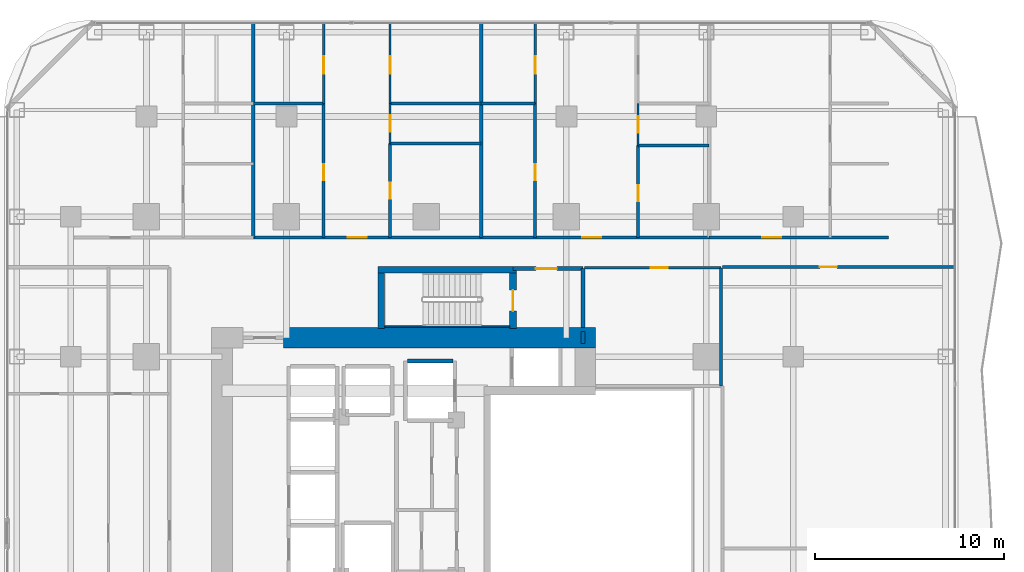
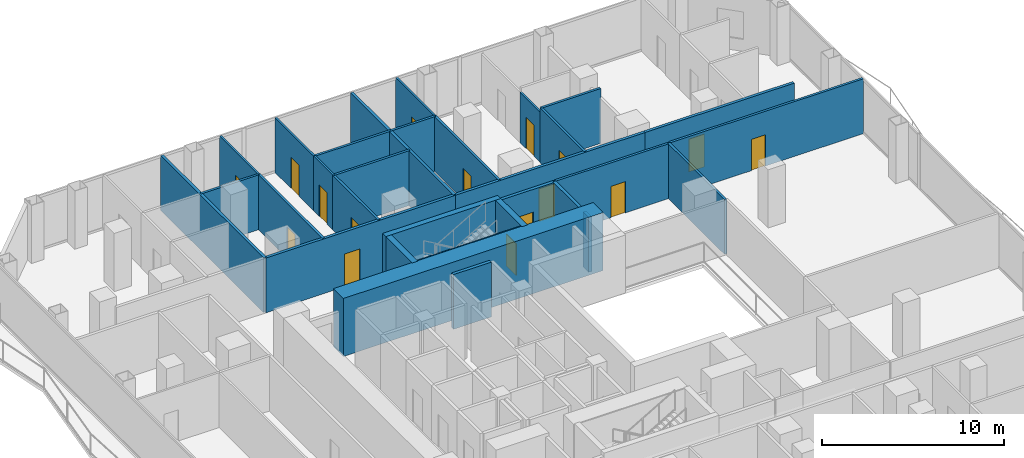
# One storey, part 23 of 27: 31 walls, 16 doors, 16 openings.
"""IFC4 building model written with IfcOpenShell, lengths in metres."""

from ifc_helpers import new_model, si_unit, direction, frame, frame_2d, origin, place, context, subcontext, project, spatial, rectangle, extrude, material, layer, layer_set, type_object, element, fill, save


model = new_model("IFC4")

# Units and contexts
model_context = context("Model", 3, precision=1e-05, world=origin(), true_north=direction((0.0, 1.0)))
body_context = subcontext(model_context, "Body", "Model", "MODEL_VIEW")
ifc_project = project(units=[si_unit("LENGTHUNIT", "METRE"), si_unit("AREAUNIT", "SQUARE_METRE"), si_unit("VOLUMEUNIT", "CUBIC_METRE"), si_unit("PLANEANGLEUNIT", "RADIAN"), si_unit("MASSUNIT", "GRAM", prefix="KILO")], contexts=[model_context])

# Site, building, storey
site_placement = place(None, origin())
site = spatial("IfcSite", under=ifc_project, at=site_placement, CompositionType="ELEMENT")
building_placement = place(site_placement, origin())
building = spatial("IfcBuilding", under=site, at=building_placement, Name="Khorvyn Point Tower", CompositionType="ELEMENT")
storey_placement = place(building_placement, frame((0.0, 0.0, 46.199951171875)))
storey = spatial("IfcBuildingStorey", under=building, at=storey_placement, Name="L12", CompositionType="ELEMENT", Elevation=46.199951171875)

# Wall, opening, door
ifc_material_1 = material(Name="Double acoustic gypsum on twin steel stud", Category="steel")
ifc_layer_1 = layer(ifc_material_1, 0.179931640625)
ifc_layer_set_1 = layer_set([ifc_layer_1], Name="Acoustic Double-Stud Apartment Demising Wall 180")
wall_type_1 = type_object("IfcWallType", Name="Acoustic Double-Stud Apartment Demising Wall 180", PredefinedType="PARTITIONING", material=ifc_layer_set_1)
wall_1_placement = place(storey_placement, frame((-9.15087890625, 13.699951171875, 0.0), z_axis=(0.0, 0.0, 1.0), x_axis=(1.0, 0.0, 0.0)))
wall_1 = element("IfcWall", 1, at=wall_1_placement, inside=storey, type_object=wall_type_1, Name="Wall", PredefinedType="PARTITIONING", context=body_context, shape_type="SweptSolid", body=[
    extrude(rectangle(XDim=12.05078125, YDim=0.179931640625, at=frame_2d((6.025390625, 0.0))), origin(), (0.0, 0.0, 1.0), 3.679931640625),
])
opening_1_placement = place(wall_1_placement, frame((4.989013671875, 0.0, 0.0)))
opening_1 = element("IfcOpeningElement", 2, at=opening_1_placement, cuts=wall_1, Name="Opening ID-AP60", PredefinedType="OPENING", context=body_context, shape_type="SweptSolid", body=[
    extrude(rectangle(XDim=1.0, YDim=2.199951171875, at=frame_2d((0.5, 1.10009765625))), frame((0.0, 0.099853515625, 0.0), z_axis=(0.0, -1.0, 0.0), x_axis=(1.0, 0.0, 0.0)), (0.0, 0.0, 1.0), 0.199951171875),
])
ifc_material_2 = material(Name="Engineered hardwood fire-rated leaf", Category="wood")
door_type_1 = type_object("IfcDoorType", Name="Acoustic Solid-Core Timber Apartment Entrance Door 1000x2200", OperationType="NOTDEFINED", PredefinedType="DOOR", material=ifc_material_2)
door_1_placement = place(opening_1_placement, origin())
door_1 = element("IfcDoor", 3, at=door_1_placement, inside=storey, type_object=door_type_1, Name="Door", OperationType="SINGLE_SWING_LEFT", OverallHeight=2.199951171875, OverallWidth=1.0, PredefinedType="DOOR", context=body_context, shape_type="SweptSolid", body=[
    extrude(rectangle(XDim=1.0, YDim=2.199951171875, at=frame_2d((0.5, 1.10009765625))), frame((0.0, 0.02490234375, 0.0), z_axis=(0.0, -1.0, 0.0), x_axis=(1.0, 0.0, 0.0)), (0.0, 0.0, 1.0), 0.050048828125),
])
fill(opening_1, door_1)

wall_2_placement = place(storey_placement, frame((2.89990234375, 13.699951171875, 0.0), z_axis=(0.0, 0.0, 1.0), x_axis=(1.0, 0.0, 0.0)))
wall_2 = element("IfcWall", 4, at=wall_2_placement, inside=storey, type_object=wall_type_1, Name="Wall", PredefinedType="PARTITIONING", context=body_context, shape_type="SweptSolid", body=[
    extrude(rectangle(XDim=12.051025390625, YDim=0.179931640625, at=frame_2d((6.025390625, 0.0))), origin(), (0.0, 0.0, 1.0), 3.679931640625),
])
opening_2_placement = place(wall_2_placement, frame((5.3466796875, 0.0, 0.0)))
opening_2 = element("IfcOpeningElement", 5, at=opening_2_placement, cuts=wall_2, Name="Opening ID-AP60", PredefinedType="OPENING", context=body_context, shape_type="SweptSolid", body=[
    extrude(rectangle(XDim=1.0, YDim=2.199951171875, at=frame_2d((0.5, 1.10009765625))), frame((0.0, 0.099853515625, 0.0), z_axis=(0.0, -1.0, 0.0), x_axis=(1.0, 0.0, 0.0)), (0.0, 0.0, 1.0), 0.199951171875),
])
door_2_placement = place(opening_2_placement, origin())
door_2 = element("IfcDoor", 6, at=door_2_placement, inside=storey, type_object=door_type_1, Name="Door", OperationType="SINGLE_SWING_LEFT", OverallHeight=2.199951171875, OverallWidth=1.0, PredefinedType="DOOR", context=body_context, shape_type="SweptSolid", body=[
    extrude(rectangle(XDim=1.0, YDim=2.199951171875, at=frame_2d((0.5, 1.10009765625))), frame((0.0, 0.02490234375, 0.0), z_axis=(0.0, -1.0, 0.0), x_axis=(1.0, 0.0, 0.0)), (0.0, 0.0, 1.0), 0.050048828125),
])
fill(opening_2, door_2)

wall_3_placement = place(storey_placement, frame((14.950927734375, 13.699951171875, 0.0), z_axis=(0.0, 0.0, 1.0), x_axis=(1.0, 0.0, 0.0)))
wall_3 = element("IfcWall", 7, at=wall_3_placement, inside=storey, type_object=wall_type_1, Name="Wall", PredefinedType="PARTITIONING", context=body_context, shape_type="SweptSolid", body=[
    extrude(rectangle(XDim=9.468994140625, YDim=0.179931640625, at=frame_2d((4.734375, 0.0))), origin(), (0.0, 0.0, 1.0), 3.679931640625),
])
opening_3_placement = place(wall_3_placement, frame((2.8173828125, 0.0, 0.0)))
opening_3 = element("IfcOpeningElement", 8, at=opening_3_placement, cuts=wall_3, Name="Opening ID-AP60", PredefinedType="OPENING", context=body_context, shape_type="SweptSolid", body=[
    extrude(rectangle(XDim=1.0, YDim=2.199951171875, at=frame_2d((0.5, 1.10009765625))), frame((0.0, 0.099853515625, 0.0), z_axis=(0.0, -1.0, 0.0), x_axis=(1.0, 0.0, 0.0)), (0.0, 0.0, 1.0), 0.199951171875),
])
door_3_placement = place(opening_3_placement, origin())
door_3 = element("IfcDoor", 9, at=door_3_placement, inside=storey, type_object=door_type_1, Name="Door", OperationType="SINGLE_SWING_LEFT", OverallHeight=2.199951171875, OverallWidth=1.0, PredefinedType="DOOR", context=body_context, shape_type="SweptSolid", body=[
    extrude(rectangle(XDim=1.0, YDim=2.199951171875, at=frame_2d((0.5, 1.10009765625))), frame((0.0, 0.02490234375, 0.0), z_axis=(0.0, -1.0, 0.0), x_axis=(1.0, 0.0, 0.0)), (0.0, 0.0, 1.0), 0.050048828125),
])
fill(opening_3, door_3)

# Walls
for number, where, z_axis, x_axis, name in (
    (10, (-9.15087890625, 13.699951171875, 0.0), (0.0, 0.0, 1.0), (0.0, 1.0, 0.0), "Wall"),
    (11, (2.89990234375, 13.699951171875, 0.0), (0.0, 0.0, 1.0), (0.0, 1.0, 0.0), "Wall"),
):
    element("IfcWall", number, at=place(storey_placement, frame(where, z_axis=z_axis, x_axis=x_axis)), inside=storey, type_object=wall_type_1, Name=name, PredefinedType="PARTITIONING", context=body_context, shape_type="SweptSolid", body=[
        extrude(rectangle(XDim=11.330078125, YDim=0.179931640625, at=frame_2d((5.6650390625, 0.0))), origin(), (0.0, 0.0, 1.0), 3.679931640625),
    ])

# Wall, opening, door
ifc_material_3 = material(Name="Concrete C40/50", Category="concrete")
ifc_layer_2 = layer(ifc_material_3, 0.199951171875)
ifc_layer_set_2 = layer_set([ifc_layer_2], Name="Concrete C40/50 Fire-Lobby Compartment Wall 200")
wall_type_2 = type_object("IfcWallType", Name="Concrete C40/50 Fire-Lobby Compartment Wall 200", PredefinedType="SOLIDWALL", material=ifc_layer_set_2)
wall_4_placement = place(storey_placement, frame((4.580078125, 12.06005859375, 0.0), z_axis=(0.0, 0.0, 1.0), x_axis=(1.0, 0.0, 0.0)))
wall_4 = element("IfcWall", 12, at=wall_4_placement, inside=storey, type_object=wall_type_2, Name="Wall", PredefinedType="SOLIDWALL", context=body_context, shape_type="SweptSolid", body=[
    extrude(rectangle(XDim=3.699951171875, YDim=0.199951171875, at=frame_2d((1.85009765625, 0.0))), origin(), (0.0, 0.0, 1.0), 3.679931640625),
])
opening_4_placement = place(wall_4_placement, frame((1.21240234375, 0.0, 0.0)))
opening_4 = element("IfcOpeningElement", 13, at=opening_4_placement, cuts=wall_4, Name="Opening ID-FL90", PredefinedType="OPENING", context=body_context, shape_type="SweptSolid", body=[
    extrude(rectangle(XDim=1.10009765625, YDim=2.14990234375, at=frame_2d((0.550048828125, 1.074951171875))), frame((0.0, 0.10986328125, 0.0), z_axis=(0.0, -1.0, 0.0), x_axis=(1.0, 0.0, 0.0)), (0.0, 0.0, 1.0), 0.219970703125),
])
ifc_material_4 = material(Name="Galvanised powder-coated steel", Category="steel")
door_type_2 = type_object("IfcDoorType", Name="Fire-Rated Steel Lobby and Stair Door 1100x2150", OperationType="NOTDEFINED", PredefinedType="DOOR", material=ifc_material_4)
door_4_placement = place(opening_4_placement, origin())
door_4 = element("IfcDoor", 14, at=door_4_placement, inside=storey, type_object=door_type_2, Name="Door", OperationType="SINGLE_SWING_RIGHT", OverallHeight=2.14990234375, OverallWidth=1.10009765625, PredefinedType="DOOR", context=body_context, shape_type="SweptSolid", body=[
    extrude(rectangle(XDim=1.10009765625, YDim=2.14990234375, at=frame_2d((0.550048828125, 1.074951171875))), frame((0.0, 0.02490234375, 0.0), z_axis=(0.0, -1.0, 0.0), x_axis=(1.0, 0.0, 0.0)), (0.0, 0.0, 1.0), 0.050048828125),
])
fill(opening_4, door_4)

# Walls
wall_5_placement = place(storey_placement, frame((8.280029296875, 8.949951171875, 0.0), z_axis=(0.0, 0.0, 1.0), x_axis=(0.0, 1.0, 0.0)))
element("IfcWall", 15, at=wall_5_placement, inside=storey, type_object=wall_type_2, Name="Wall", PredefinedType="SOLIDWALL", context=body_context, shape_type="SweptSolid", body=[
    extrude(rectangle(XDim=3.110107421875, YDim=0.199951171875, at=frame_2d((1.55517578125, 0.0))), origin(), (0.0, 0.0, 1.0), 3.679931640625),
])
wall_6_placement = place(storey_placement, frame((8.280029296875, 8.10009765625, 0.0), z_axis=(0.0, 0.0, 1.0), x_axis=(0.0, 1.0, 0.0)))
element("IfcWall", 16, at=wall_6_placement, inside=storey, type_object=wall_type_2, Name="Wall", PredefinedType="SOLIDWALL", context=body_context, shape_type="SweptSolid", body=[
    extrude(rectangle(XDim=0.625, YDim=0.199951171875, at=frame_2d((0.3125, 0.0))), origin(), (0.0, 0.0, 1.0), 3.679931640625),
])
ifc_layer_3 = layer(ifc_material_3, 0.25)
ifc_layer_set_3 = layer_set([ifc_layer_3], Name="Concrete C40/50 Stair Inner Cheek Structural Wall 250")
wall_type_3 = type_object("IfcWallType", Name="Concrete C40/50 Stair Inner Cheek Structural Wall 250", PredefinedType="SHEAR", material=ifc_layer_set_3)
wall_7_placement = place(storey_placement, frame((-2.199951171875, 8.987548828125, 0.0), z_axis=(0.0, 0.0, 1.0), x_axis=(1.0, 0.0, 0.0)))
element("IfcWall", 17, at=wall_7_placement, inside=storey, type_object=wall_type_3, Name="Wall", PredefinedType="SHEAR", context=body_context, shape_type="SweptSolid", body=[
    extrude(rectangle(XDim=6.599853515625, YDim=0.074951171875, at=frame_2d((3.2998046875, 0.0))), origin(), (0.0, 0.0, 1.0), 3.900146484375),
])
ifc_layer_4 = layer(ifc_material_3, 0.35009765625)
ifc_layer_set_4 = layer_set([ifc_layer_4], Name="Concrete C40/50 Stair Shaft Structural Wall 350")
wall_type_4 = type_object("IfcWallType", Name="Concrete C40/50 Stair Shaft Structural Wall 350", PredefinedType="SHEAR", material=ifc_layer_set_4)
wall_8_placement = place(storey_placement, frame((-2.554931640625, 12.0, 0.0), z_axis=(0.0, 0.0, 1.0), x_axis=(1.0, 0.0, 0.0)))
element("IfcWall", 18, at=wall_8_placement, inside=storey, type_object=wall_type_4, Name="L12 ST-02 North Shaft Wall", PredefinedType="SHEAR", context=body_context, shape_type="SweptSolid", body=[
    extrude(rectangle(XDim=7.309814453125, YDim=0.35009765625, at=frame_2d((3.65478515625, 0.0))), origin(), (0.0, 0.0, 1.0), 3.900146484375),
])
wall_9_placement = place(storey_placement, frame((-2.3798828125, 8.89990234375, 0.0), z_axis=(0.0, 0.0, 1.0), x_axis=(0.0, 1.0, 0.0)))
element("IfcWall", 19, at=wall_9_placement, inside=storey, type_object=wall_type_4, Name="L12 ST-02 West Shaft Wall", PredefinedType="SHEAR", context=body_context, shape_type="SweptSolid", body=[
    extrude(rectangle(XDim=2.925048828125, YDim=0.35009765625, at=frame_2d((1.46240234375, 0.0))), origin(), (0.0, 0.0, 1.0), 3.900146484375),
])

# Wall, opening, door
wall_10_placement = place(storey_placement, frame((4.580078125, 11.824951171875, 0.0), z_axis=(0.0, 0.0, 1.0), x_axis=(0.0, -1.0, 0.0)))
wall_10 = element("IfcWall", 20, at=wall_10_placement, inside=storey, type_object=wall_type_4, Name="L12 ST-02 East Landing Door Wall", PredefinedType="SHEAR", context=body_context, shape_type="SweptSolid", body=[
    extrude(rectangle(XDim=2.925048828125, YDim=0.35009765625, at=frame_2d((1.46240234375, 0.0))), origin(), (0.0, 0.0, 1.0), 3.900146484375),
])
opening_5_placement = place(wall_10_placement, frame((0.91259765625, 0.0, 0.0)))
opening_5 = element("IfcOpeningElement", 21, at=opening_5_placement, cuts=wall_10, Name="Opening ID-FL90", PredefinedType="OPENING", context=body_context, shape_type="SweptSolid", body=[
    extrude(rectangle(XDim=1.10009765625, YDim=2.14990234375, at=frame_2d((0.550048828125, 1.074951171875))), frame((0.0, 0.18505859375, 0.0), z_axis=(0.0, -1.0, 0.0), x_axis=(1.0, 0.0, 0.0)), (0.0, 0.0, 1.0), 0.3701171875),
])
door_5_placement = place(opening_5_placement, origin())
door_5 = element("IfcDoor", 22, at=door_5_placement, inside=storey, type_object=door_type_2, Name="L12 ST-02 Smokeproof Landing Door", OperationType="SINGLE_SWING_LEFT", OverallHeight=2.14990234375, OverallWidth=1.10009765625, PredefinedType="DOOR", context=body_context, shape_type="SweptSolid", body=[
    extrude(rectangle(XDim=1.10009765625, YDim=2.14990234375, at=frame_2d((0.550048828125, 1.074951171875))), frame((0.0, 0.02490234375, 0.0), z_axis=(0.0, -1.0, 0.0), x_axis=(1.0, 0.0, 0.0)), (0.0, 0.0, 1.0), 0.050048828125),
])
fill(opening_5, door_5)

# Walls
ifc_layer_5 = layer(ifc_material_3, 0.199951171875)
ifc_layer_set_5 = layer_set([ifc_layer_5], Name="Concrete C40/50 Structural Hoistway and Stair Shaft Wall 200")
wall_type_5 = type_object("IfcWallType", Name="Concrete C40/50 Structural Hoistway and Stair Shaft Wall 200", PredefinedType="SHEAR", material=ifc_layer_set_5)
wall_11_placement = place(storey_placement, frame((-1.0, 7.175048828125, 0.0), z_axis=(0.0, 0.0, 1.0), x_axis=(1.0, 0.0, 0.0)))
element("IfcWall", 23, at=wall_11_placement, inside=storey, type_object=wall_type_5, Name="Wall", PredefinedType="SHEAR", context=body_context, shape_type="SweptSolid", body=[
    extrude(rectangle(XDim=2.39990234375, YDim=0.199951171875, at=frame_2d((1.199951171875, 0.0))), origin(), (0.0, 0.0, 1.0), 3.679931640625),
])
ifc_material_5 = material(Name="Concrete C50/60", Category="concrete")
ifc_layer_6 = layer(ifc_material_5, 1.10009765625)
ifc_layer_set_6 = layer_set([ifc_layer_6], Name="Concrete C50/60 Core Shear Wall 1100")
wall_type_6 = type_object("IfcWallType", Name="Concrete C50/60 Core Shear Wall 1100", PredefinedType="SHEAR", material=ifc_layer_set_6)
wall_12_placement = place(storey_placement, frame((-7.550048828125, 8.39990234375, 0.0), z_axis=(0.0, 0.0, 1.0), x_axis=(1.0, 0.0, 0.0)))
element("IfcWall", 24, at=wall_12_placement, inside=storey, type_object=wall_type_6, Name="Wall", PredefinedType="SHEAR", context=body_context, shape_type="SweptSolid", body=[
    extrude(rectangle(XDim=16.5, YDim=1.10009765625, at=frame_2d((8.25, 0.0))), origin(), (0.0, 0.0, 1.0), 3.900146484375),
])

# Wall, opening, door
ifc_material_6 = material(Name="Gypsum plasterboard on steel stud", Category="steel")
ifc_layer_7 = layer(ifc_material_6, 0.1201171875)
ifc_layer_set_7 = layer_set([ifc_layer_7], Name="Gypsum Acoustic Stud Room Partition Wall 120")
wall_type_7 = type_object("IfcWallType", Name="Gypsum Acoustic Stud Room Partition Wall 120", PredefinedType="PARTITIONING", material=ifc_layer_set_7)
wall_13_placement = place(storey_placement, frame((-5.43408203125, 20.7900390625, 0.0), z_axis=(0.0, 0.0, 1.0), x_axis=(0.0, 1.0, 0.0)))
wall_13 = element("IfcWall", 25, at=wall_13_placement, inside=storey, type_object=wall_type_7, Name="Wall", PredefinedType="PARTITIONING", context=body_context, shape_type="SweptSolid", body=[
    extrude(rectangle(XDim=4.239990234375, YDim=0.1201171875, at=frame_2d((2.1201171875, 0.0))), origin(), (0.0, 0.0, 1.0), 3.679931640625),
])
opening_6_placement = place(wall_13_placement, frame((1.581298828125, 0.0, 0.0)))
opening_6 = element("IfcOpeningElement", 26, at=opening_6_placement, cuts=wall_13, Name="Opening ID-RM90", PredefinedType="OPENING", context=body_context, shape_type="SweptSolid", body=[
    extrude(rectangle(XDim=0.89990234375, YDim=2.10009765625, at=frame_2d((0.449951171875, 1.050048828125))), frame((0.0, 0.070068359375, 0.0), z_axis=(0.0, -1.0, 0.0), x_axis=(1.0, 0.0, 0.0)), (0.0, 0.0, 1.0), 0.14013671875),
])
ifc_material_7 = material(Name="Engineered oak veneer timber", Category="wood")
door_type_3 = type_object("IfcDoorType", Name="Flush Engineered Timber Room Door 900x2100", OperationType="NOTDEFINED", PredefinedType="DOOR", material=ifc_material_7)
door_6_placement = place(opening_6_placement, origin())
door_6 = element("IfcDoor", 27, at=door_6_placement, inside=storey, type_object=door_type_3, Name="Door", OperationType="SINGLE_SWING_LEFT", OverallHeight=2.10009765625, OverallWidth=0.89990234375, PredefinedType="DOOR", context=body_context, shape_type="SweptSolid", body=[
    extrude(rectangle(XDim=0.89990234375, YDim=2.10009765625, at=frame_2d((0.449951171875, 1.050048828125))), frame((0.0, 0.02490234375, 0.0), z_axis=(0.0, -1.0, 0.0), x_axis=(1.0, 0.0, 0.0)), (0.0, 0.0, 1.0), 0.050048828125),
])
fill(opening_6, door_6)

wall_14_placement = place(storey_placement, frame((-1.919921875, 18.6630859375, 0.0), z_axis=(0.0, 0.0, 1.0), x_axis=(0.0, 1.0, 0.0)))
wall_14 = element("IfcWall", 28, at=wall_14_placement, inside=storey, type_object=wall_type_7, Name="Wall", PredefinedType="PARTITIONING", context=body_context, shape_type="SweptSolid", body=[
    extrude(rectangle(XDim=2.126953125, YDim=0.1201171875, at=frame_2d((1.0634765625, 0.0))), origin(), (0.0, 0.0, 1.0), 3.679931640625),
])
opening_7_placement = place(wall_14_placement, frame((0.638427734375, 0.0, 0.0)))
opening_7 = element("IfcOpeningElement", 29, at=opening_7_placement, cuts=wall_14, Name="Opening ID-WC85", PredefinedType="OPENING", context=body_context, shape_type="SweptSolid", body=[
    extrude(rectangle(XDim=0.85009765625, YDim=2.10009765625, at=frame_2d((0.425048828125, 1.050048828125))), frame((0.0, 0.070068359375, 0.0), z_axis=(0.0, -1.0, 0.0), x_axis=(1.0, 0.0, 0.0)), (0.0, 0.0, 1.0), 0.14013671875),
])
ifc_material_8 = material(Name="High-pressure laminate on moisture-resistant core", Category="wood")
door_type_4 = type_object("IfcDoorType", Name="Moisture-Resistant Accessible Washroom Door 850x2100", OperationType="NOTDEFINED", PredefinedType="DOOR", material=ifc_material_8)
door_7_placement = place(opening_7_placement, origin())
door_7 = element("IfcDoor", 30, at=door_7_placement, inside=storey, type_object=door_type_4, Name="Door", OperationType="SINGLE_SWING_LEFT", OverallHeight=2.10009765625, OverallWidth=0.85009765625, PredefinedType="DOOR", context=body_context, shape_type="SweptSolid", body=[
    extrude(rectangle(XDim=0.85009765625, YDim=2.10009765625, at=frame_2d((0.425048828125, 1.050048828125))), frame((0.0, 0.02490234375, 0.0), z_axis=(0.0, -1.0, 0.0), x_axis=(1.0, 0.0, 0.0)), (0.0, 0.0, 1.0), 0.050048828125),
])
fill(opening_7, door_7)

wall_15_placement = place(storey_placement, frame((-1.919921875, 20.7900390625, 0.0), z_axis=(0.0, 0.0, 1.0), x_axis=(0.0, 1.0, 0.0)))
wall_15 = element("IfcWall", 31, at=wall_15_placement, inside=storey, type_object=wall_type_7, Name="Wall", PredefinedType="PARTITIONING", context=body_context, shape_type="SweptSolid", body=[
    extrude(rectangle(XDim=4.239990234375, YDim=0.1201171875, at=frame_2d((2.1201171875, 0.0))), origin(), (0.0, 0.0, 1.0), 3.679931640625),
])
opening_8_placement = place(wall_15_placement, frame((1.581298828125, 0.0, 0.0)))
opening_8 = element("IfcOpeningElement", 32, at=opening_8_placement, cuts=wall_15, Name="Opening ID-RM90", PredefinedType="OPENING", context=body_context, shape_type="SweptSolid", body=[
    extrude(rectangle(XDim=0.89990234375, YDim=2.10009765625, at=frame_2d((0.449951171875, 1.050048828125))), frame((0.0, 0.070068359375, 0.0), z_axis=(0.0, -1.0, 0.0), x_axis=(1.0, 0.0, 0.0)), (0.0, 0.0, 1.0), 0.14013671875),
])
door_8_placement = place(opening_8_placement, origin())
door_8 = element("IfcDoor", 33, at=door_8_placement, inside=storey, type_object=door_type_3, Name="Door", OperationType="SINGLE_SWING_RIGHT", OverallHeight=2.10009765625, OverallWidth=0.89990234375, PredefinedType="DOOR", context=body_context, shape_type="SweptSolid", body=[
    extrude(rectangle(XDim=0.89990234375, YDim=2.10009765625, at=frame_2d((0.449951171875, 1.050048828125))), frame((0.0, 0.02490234375, 0.0), z_axis=(0.0, -1.0, 0.0), x_axis=(1.0, 0.0, 0.0)), (0.0, 0.0, 1.0), 0.050048828125),
])
fill(opening_8, door_8)

wall_16_placement = place(storey_placement, frame((5.75, 20.7900390625, 0.0), z_axis=(0.0, 0.0, 1.0), x_axis=(0.0, 1.0, 0.0)))
wall_16 = element("IfcWall", 34, at=wall_16_placement, inside=storey, type_object=wall_type_7, Name="Wall", PredefinedType="PARTITIONING", context=body_context, shape_type="SweptSolid", body=[
    extrude(rectangle(XDim=4.239990234375, YDim=0.1201171875, at=frame_2d((2.1201171875, 0.0))), origin(), (0.0, 0.0, 1.0), 3.679931640625),
])
opening_9_placement = place(wall_16_placement, frame((1.581298828125, 0.0, 0.0)))
opening_9 = element("IfcOpeningElement", 35, at=opening_9_placement, cuts=wall_16, Name="Opening ID-RM90", PredefinedType="OPENING", context=body_context, shape_type="SweptSolid", body=[
    extrude(rectangle(XDim=0.89990234375, YDim=2.10009765625, at=frame_2d((0.449951171875, 1.050048828125))), frame((0.0, 0.070068359375, 0.0), z_axis=(0.0, -1.0, 0.0), x_axis=(1.0, 0.0, 0.0)), (0.0, 0.0, 1.0), 0.14013671875),
])
door_9_placement = place(opening_9_placement, origin())
door_9 = element("IfcDoor", 36, at=door_9_placement, inside=storey, type_object=door_type_3, Name="Door", OperationType="SINGLE_SWING_LEFT", OverallHeight=2.10009765625, OverallWidth=0.89990234375, PredefinedType="DOOR", context=body_context, shape_type="SweptSolid", body=[
    extrude(rectangle(XDim=0.89990234375, YDim=2.10009765625, at=frame_2d((0.449951171875, 1.050048828125))), frame((0.0, 0.02490234375, 0.0), z_axis=(0.0, -1.0, 0.0), x_axis=(1.0, 0.0, 0.0)), (0.0, 0.0, 1.0), 0.050048828125),
])
fill(opening_9, door_9)

wall_17_placement = place(storey_placement, frame((11.19091796875, 18.556884765625, 0.0), z_axis=(0.0, 0.0, 1.0), x_axis=(0.0, 1.0, 0.0)))
wall_17 = element("IfcWall", 37, at=wall_17_placement, inside=storey, type_object=wall_type_7, Name="Wall", PredefinedType="PARTITIONING", context=body_context, shape_type="SweptSolid", body=[
    extrude(rectangle(XDim=2.233154296875, YDim=0.1201171875, at=frame_2d((1.11669921875, 0.0))), origin(), (0.0, 0.0, 1.0), 3.3701171875),
])
opening_10_placement = place(wall_17_placement, frame((0.69140625, 0.0, 0.0)))
opening_10 = element("IfcOpeningElement", 38, at=opening_10_placement, cuts=wall_17, Name="Opening ID-WC85", PredefinedType="OPENING", context=body_context, shape_type="SweptSolid", body=[
    extrude(rectangle(XDim=0.85009765625, YDim=2.10009765625, at=frame_2d((0.425048828125, 1.050048828125))), frame((0.0, 0.070068359375, 0.0), z_axis=(0.0, -1.0, 0.0), x_axis=(1.0, 0.0, 0.0)), (0.0, 0.0, 1.0), 0.14013671875),
])
door_10_placement = place(opening_10_placement, origin())
door_10 = element("IfcDoor", 39, at=door_10_placement, inside=storey, type_object=door_type_4, Name="Door", OperationType="SINGLE_SWING_LEFT", OverallHeight=2.10009765625, OverallWidth=0.85009765625, PredefinedType="DOOR", context=body_context, shape_type="SweptSolid", body=[
    extrude(rectangle(XDim=0.85009765625, YDim=2.10009765625, at=frame_2d((0.425048828125, 1.050048828125))), frame((0.0, 0.02490234375, 0.0), z_axis=(0.0, -1.0, 0.0), x_axis=(1.0, 0.0, 0.0)), (0.0, 0.0, 1.0), 0.050048828125),
])
fill(opening_10, door_10)

ifc_material_9 = material(Name="Moisture-resistant gypsum and cement board", Category="gypsum")
ifc_layer_8 = layer(ifc_material_9, 0.14990234375)
ifc_layer_set_8 = layer_set([ifc_layer_8], Name="Moisture-Resistant Wet-Room Partition Wall 150")
wall_type_8 = type_object("IfcWallType", Name="Moisture-Resistant Wet-Room Partition Wall 150", PredefinedType="PARTITIONING", material=ifc_layer_set_8)
wall_18_placement = place(storey_placement, frame((8.360107421875, 12.10009765625, 0.0), z_axis=(0.0, 0.0, 1.0), x_axis=(1.0, 0.0, 0.0)))
wall_18 = element("IfcWall", 40, at=wall_18_placement, inside=storey, type_object=wall_type_8, Name="Wall", PredefinedType="PARTITIONING", context=body_context, shape_type="SweptSolid", body=[
    extrude(rectangle(XDim=7.219970703125, YDim=0.14990234375, at=frame_2d((3.60986328125, 0.0))), origin(), (0.0, 0.0, 1.0), 3.679931640625),
])
opening_11_placement = place(wall_18_placement, frame((3.512939453125, 0.0, 0.0)))
opening_11 = element("IfcOpeningElement", 41, at=opening_11_placement, cuts=wall_18, Name="Opening ID-RM90", PredefinedType="OPENING", context=body_context, shape_type="SweptSolid", body=[
    extrude(rectangle(XDim=0.89990234375, YDim=2.10009765625, at=frame_2d((0.449951171875, 1.050048828125))), frame((0.0, 0.0849609375, 0.0), z_axis=(0.0, -1.0, 0.0), x_axis=(1.0, 0.0, 0.0)), (0.0, 0.0, 1.0), 0.169921875),
])
door_11_placement = place(opening_11_placement, origin())
door_11 = element("IfcDoor", 42, at=door_11_placement, inside=storey, type_object=door_type_3, Name="Door", OperationType="SINGLE_SWING_RIGHT", OverallHeight=2.10009765625, OverallWidth=0.89990234375, PredefinedType="DOOR", context=body_context, shape_type="SweptSolid", body=[
    extrude(rectangle(XDim=0.89990234375, YDim=2.10009765625, at=frame_2d((0.449951171875, 1.050048828125))), frame((0.0, 0.02490234375, 0.0), z_axis=(0.0, -1.0, 0.0), x_axis=(1.0, 0.0, 0.0)), (0.0, 0.0, 1.0), 0.050048828125),
])
fill(opening_11, door_11)

wall_19_placement = place(storey_placement, frame((-5.43408203125, 13.699951171875, 0.0), z_axis=(0.0, 0.0, 1.0), x_axis=(0.0, 1.0, 0.0)))
wall_19 = element("IfcWall", 43, at=wall_19_placement, inside=storey, type_object=wall_type_8, Name="Wall", PredefinedType="PARTITIONING", context=body_context, shape_type="SweptSolid", body=[
    extrude(rectangle(XDim=7.090087890625, YDim=0.14990234375, at=frame_2d((3.544921875, 0.0))), origin(), (0.0, 0.0, 1.0), 3.679931640625),
])
opening_12_placement = place(wall_19_placement, frame((3.0302734375, 0.0, 0.0)))
opening_12 = element("IfcOpeningElement", 44, at=opening_12_placement, cuts=wall_19, Name="Opening ID-WC85", PredefinedType="OPENING", context=body_context, shape_type="SweptSolid", body=[
    extrude(rectangle(XDim=0.85009765625, YDim=2.10009765625, at=frame_2d((0.425048828125, 1.050048828125))), frame((0.0, 0.0849609375, 0.0), z_axis=(0.0, -1.0, 0.0), x_axis=(1.0, 0.0, 0.0)), (0.0, 0.0, 1.0), 0.169921875),
])
door_12_placement = place(opening_12_placement, origin())
door_12 = element("IfcDoor", 45, at=door_12_placement, inside=storey, type_object=door_type_4, Name="Door", OperationType="SINGLE_SWING_RIGHT", OverallHeight=2.10009765625, OverallWidth=0.85009765625, PredefinedType="DOOR", context=body_context, shape_type="SweptSolid", body=[
    extrude(rectangle(XDim=0.85009765625, YDim=2.10009765625, at=frame_2d((0.425048828125, 1.050048828125))), frame((0.0, 0.02490234375, 0.0), z_axis=(0.0, -1.0, 0.0), x_axis=(1.0, 0.0, 0.0)), (0.0, 0.0, 1.0), 0.050048828125),
])
fill(opening_12, door_12)

wall_20_placement = place(storey_placement, frame((-1.919921875, 13.699951171875, 0.0), z_axis=(0.0, 0.0, 1.0), x_axis=(0.0, 1.0, 0.0)))
wall_20 = element("IfcWall", 46, at=wall_20_placement, inside=storey, type_object=wall_type_8, Name="Wall", PredefinedType="PARTITIONING", context=body_context, shape_type="SweptSolid", body=[
    extrude(rectangle(XDim=4.963134765625, YDim=0.14990234375, at=frame_2d((2.4814453125, 0.0))), origin(), (0.0, 0.0, 1.0), 3.679931640625),
])
opening_13_placement = place(wall_20_placement, frame((2.056396484375, 0.0, 0.0)))
opening_13 = element("IfcOpeningElement", 47, at=opening_13_placement, cuts=wall_20, Name="Opening ID-WC85", PredefinedType="OPENING", context=body_context, shape_type="SweptSolid", body=[
    extrude(rectangle(XDim=0.85009765625, YDim=2.10009765625, at=frame_2d((0.425048828125, 1.050048828125))), frame((0.0, 0.0849609375, 0.0), z_axis=(0.0, -1.0, 0.0), x_axis=(1.0, 0.0, 0.0)), (0.0, 0.0, 1.0), 0.169921875),
])
door_13_placement = place(opening_13_placement, origin())
door_13 = element("IfcDoor", 48, at=door_13_placement, inside=storey, type_object=door_type_4, Name="Door", OperationType="SINGLE_SWING_RIGHT", OverallHeight=2.10009765625, OverallWidth=0.85009765625, PredefinedType="DOOR", context=body_context, shape_type="SweptSolid", body=[
    extrude(rectangle(XDim=0.85009765625, YDim=2.10009765625, at=frame_2d((0.425048828125, 1.050048828125))), frame((0.0, 0.02490234375, 0.0), z_axis=(0.0, -1.0, 0.0), x_axis=(1.0, 0.0, 0.0)), (0.0, 0.0, 1.0), 0.050048828125),
])
fill(opening_13, door_13)

wall_21_placement = place(storey_placement, frame((5.75, 13.699951171875, 0.0), z_axis=(0.0, 0.0, 1.0), x_axis=(0.0, 1.0, 0.0)))
wall_21 = element("IfcWall", 49, at=wall_21_placement, inside=storey, type_object=wall_type_8, Name="Wall", PredefinedType="PARTITIONING", context=body_context, shape_type="SweptSolid", body=[
    extrude(rectangle(XDim=7.090087890625, YDim=0.14990234375, at=frame_2d((3.544921875, 0.0))), origin(), (0.0, 0.0, 1.0), 3.679931640625),
])
opening_14_placement = place(wall_21_placement, frame((3.0302734375, 0.0, 0.0)))
opening_14 = element("IfcOpeningElement", 50, at=opening_14_placement, cuts=wall_21, Name="Opening ID-WC85", PredefinedType="OPENING", context=body_context, shape_type="SweptSolid", body=[
    extrude(rectangle(XDim=0.85009765625, YDim=2.10009765625, at=frame_2d((0.425048828125, 1.050048828125))), frame((0.0, 0.0849609375, 0.0), z_axis=(0.0, -1.0, 0.0), x_axis=(1.0, 0.0, 0.0)), (0.0, 0.0, 1.0), 0.169921875),
])
door_14_placement = place(opening_14_placement, origin())
door_14 = element("IfcDoor", 51, at=door_14_placement, inside=storey, type_object=door_type_4, Name="Door", OperationType="SINGLE_SWING_RIGHT", OverallHeight=2.10009765625, OverallWidth=0.85009765625, PredefinedType="DOOR", context=body_context, shape_type="SweptSolid", body=[
    extrude(rectangle(XDim=0.85009765625, YDim=2.10009765625, at=frame_2d((0.425048828125, 1.050048828125))), frame((0.0, 0.02490234375, 0.0), z_axis=(0.0, -1.0, 0.0), x_axis=(1.0, 0.0, 0.0)), (0.0, 0.0, 1.0), 0.050048828125),
])
fill(opening_14, door_14)

wall_22_placement = place(storey_placement, frame((11.19091796875, 13.699951171875, 0.0), z_axis=(0.0, 0.0, 1.0), x_axis=(0.0, 1.0, 0.0)))
wall_22 = element("IfcWall", 52, at=wall_22_placement, inside=storey, type_object=wall_type_8, Name="Wall", PredefinedType="PARTITIONING", context=body_context, shape_type="SweptSolid", body=[
    extrude(rectangle(XDim=4.85693359375, YDim=0.14990234375, at=frame_2d((2.428466796875, 0.0))), origin(), (0.0, 0.0, 1.0), 3.679931640625),
])
opening_15_placement = place(wall_22_placement, frame((1.915771484375, 0.0, 0.0)))
opening_15 = element("IfcOpeningElement", 53, at=opening_15_placement, cuts=wall_22, Name="Opening ID-WC85", PredefinedType="OPENING", context=body_context, shape_type="SweptSolid", body=[
    extrude(rectangle(XDim=0.85009765625, YDim=2.10009765625, at=frame_2d((0.425048828125, 1.050048828125))), frame((0.0, 0.0849609375, 0.0), z_axis=(0.0, -1.0, 0.0), x_axis=(1.0, 0.0, 0.0)), (0.0, 0.0, 1.0), 0.169921875),
])
door_15_placement = place(opening_15_placement, origin())
door_15 = element("IfcDoor", 54, at=door_15_placement, inside=storey, type_object=door_type_4, Name="Door", OperationType="SINGLE_SWING_RIGHT", OverallHeight=2.10009765625, OverallWidth=0.85009765625, PredefinedType="DOOR", context=body_context, shape_type="SweptSolid", body=[
    extrude(rectangle(XDim=0.85009765625, YDim=2.10009765625, at=frame_2d((0.425048828125, 1.050048828125))), frame((0.0, 0.02490234375, 0.0), z_axis=(0.0, -1.0, 0.0), x_axis=(1.0, 0.0, 0.0)), (0.0, 0.0, 1.0), 0.050048828125),
])
fill(opening_15, door_15)

wall_23_placement = place(storey_placement, frame((15.64990234375, 12.139892578125, 0.0), z_axis=(0.0, 0.0, 1.0), x_axis=(1.0, 0.0, 0.0)))
wall_23 = element("IfcWall", 55, at=wall_23_placement, inside=storey, type_object=wall_type_8, Name="Wall", PredefinedType="PARTITIONING", context=body_context, shape_type="SweptSolid", body=[
    extrude(rectangle(XDim=12.27001953125, YDim=0.14990234375, at=frame_2d((6.135009765625, 0.0))), origin(), (0.0, 0.0, 1.0), 3.679931640625),
])
opening_16_placement = place(wall_23_placement, frame((5.150390625, 0.0, 0.0)))
opening_16 = element("IfcOpeningElement", 56, at=opening_16_placement, cuts=wall_23, Name="Opening ID-RM90", PredefinedType="OPENING", context=body_context, shape_type="SweptSolid", body=[
    extrude(rectangle(XDim=0.89990234375, YDim=2.10009765625, at=frame_2d((0.449951171875, 1.050048828125))), frame((0.0, 0.0849609375, 0.0), z_axis=(0.0, -1.0, 0.0), x_axis=(1.0, 0.0, 0.0)), (0.0, 0.0, 1.0), 0.169921875),
])
door_16_placement = place(opening_16_placement, origin())
door_16 = element("IfcDoor", 57, at=door_16_placement, inside=storey, type_object=door_type_3, Name="Door", OperationType="SINGLE_SWING_LEFT", OverallHeight=2.10009765625, OverallWidth=0.89990234375, PredefinedType="DOOR", context=body_context, shape_type="SweptSolid", body=[
    extrude(rectangle(XDim=0.89990234375, YDim=2.10009765625, at=frame_2d((0.449951171875, 1.050048828125))), frame((0.0, 0.02490234375, 0.0), z_axis=(0.0, -1.0, 0.0), x_axis=(1.0, 0.0, 0.0)), (0.0, 0.0, 1.0), 0.050048828125),
])
fill(opening_16, door_16)

# Walls
wall_24_placement = place(storey_placement, frame((15.580078125, 5.85009765625, 0.0), z_axis=(0.0, 0.0, 1.0), x_axis=(0.0, 1.0, 0.0)))
element("IfcWall", 58, at=wall_24_placement, inside=storey, type_object=wall_type_8, Name="Wall", PredefinedType="PARTITIONING", context=body_context, shape_type="SweptSolid", body=[
    extrude(rectangle(XDim=6.25, YDim=0.14990234375, at=frame_2d((3.125, 0.0))), origin(), (0.0, 0.0, 1.0), 3.679931640625),
])
wall_25_placement = place(storey_placement, frame((-9.15087890625, 20.7900390625, 0.0), z_axis=(0.0, 0.0, 1.0), x_axis=(1.0, 0.0, 0.0)))
element("IfcWall", 59, at=wall_25_placement, inside=storey, type_object=wall_type_8, Name="Wall", PredefinedType="PARTITIONING", context=body_context, shape_type="SweptSolid", body=[
    extrude(rectangle(XDim=3.716796875, YDim=0.14990234375, at=frame_2d((1.8583984375, 0.0))), origin(), (0.0, 0.0, 1.0), 3.679931640625),
])
for number, where, z_axis, x_axis, name in (
    (60, (-1.919921875, 18.6630859375, 0.0), (0.0, 0.0, 1.0), (1.0, 0.0, 0.0), "Wall"),
    (61, (-1.919921875, 20.7900390625, 0.0), (0.0, 0.0, 1.0), (1.0, 0.0, 0.0), "Wall"),
):
    element("IfcWall", number, at=place(storey_placement, frame(where, z_axis=z_axis, x_axis=x_axis)), inside=storey, type_object=wall_type_8, Name=name, PredefinedType="PARTITIONING", context=body_context, shape_type="SweptSolid", body=[
        extrude(rectangle(XDim=4.81982421875, YDim=0.14990234375, at=frame_2d((2.409912109375, 0.0))), origin(), (0.0, 0.0, 1.0), 3.679931640625),
    ])
wall_26_placement = place(storey_placement, frame((2.89990234375, 20.7900390625, 0.0), z_axis=(0.0, 0.0, 1.0), x_axis=(1.0, 0.0, 0.0)))
element("IfcWall", 62, at=wall_26_placement, inside=storey, type_object=wall_type_8, Name="Wall", PredefinedType="PARTITIONING", context=body_context, shape_type="SweptSolid", body=[
    extrude(rectangle(XDim=2.85009765625, YDim=0.14990234375, at=frame_2d((1.425048828125, 0.0))), origin(), (0.0, 0.0, 1.0), 3.679931640625),
])
wall_27_placement = place(storey_placement, frame((11.19091796875, 18.556884765625, 0.0), z_axis=(0.0, 0.0, 1.0), x_axis=(1.0, 0.0, 0.0)))
element("IfcWall", 63, at=wall_27_placement, inside=storey, type_object=wall_type_8, Name="Wall", PredefinedType="PARTITIONING", context=body_context, shape_type="SweptSolid", body=[
    extrude(rectangle(XDim=3.760009765625, YDim=0.14990234375, at=frame_2d((1.8798828125, 0.0))), origin(), (0.0, 0.0, 1.0), 3.679931640625),
])

save(model, "model.ifc")
